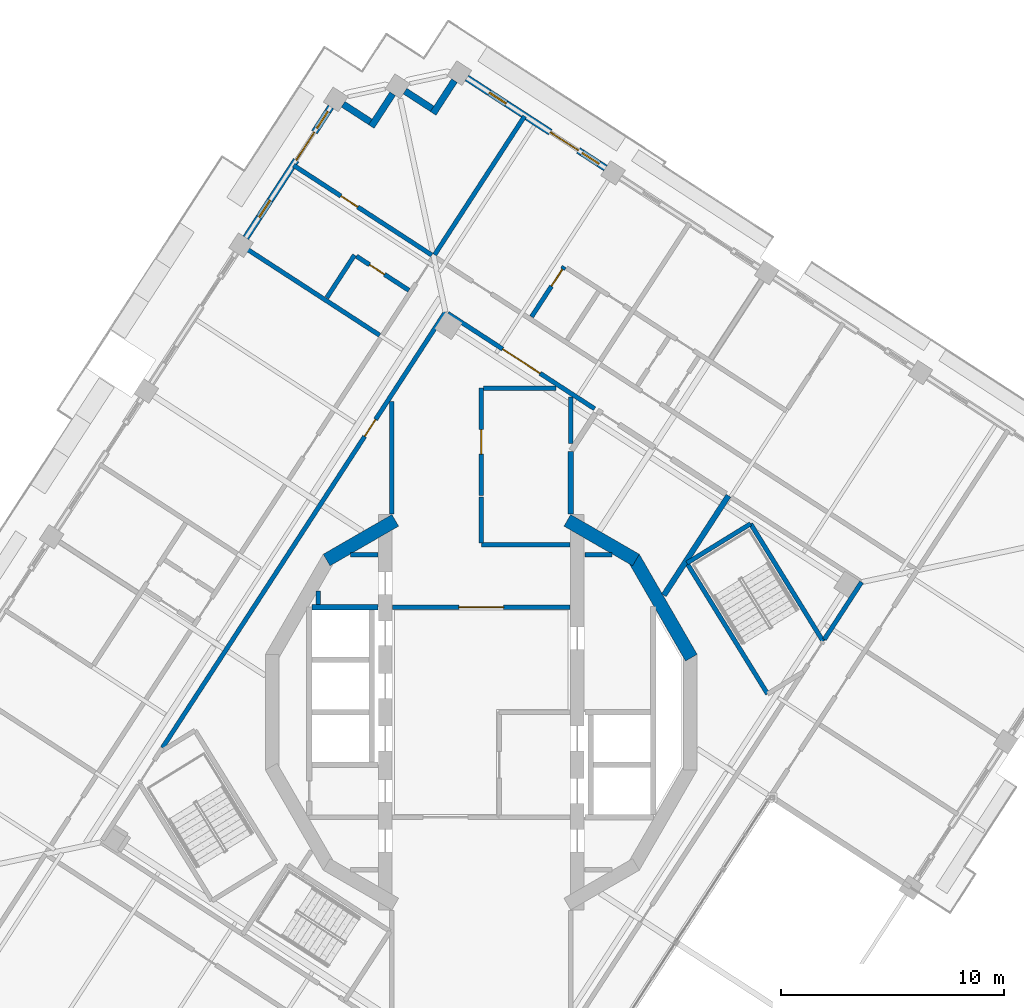
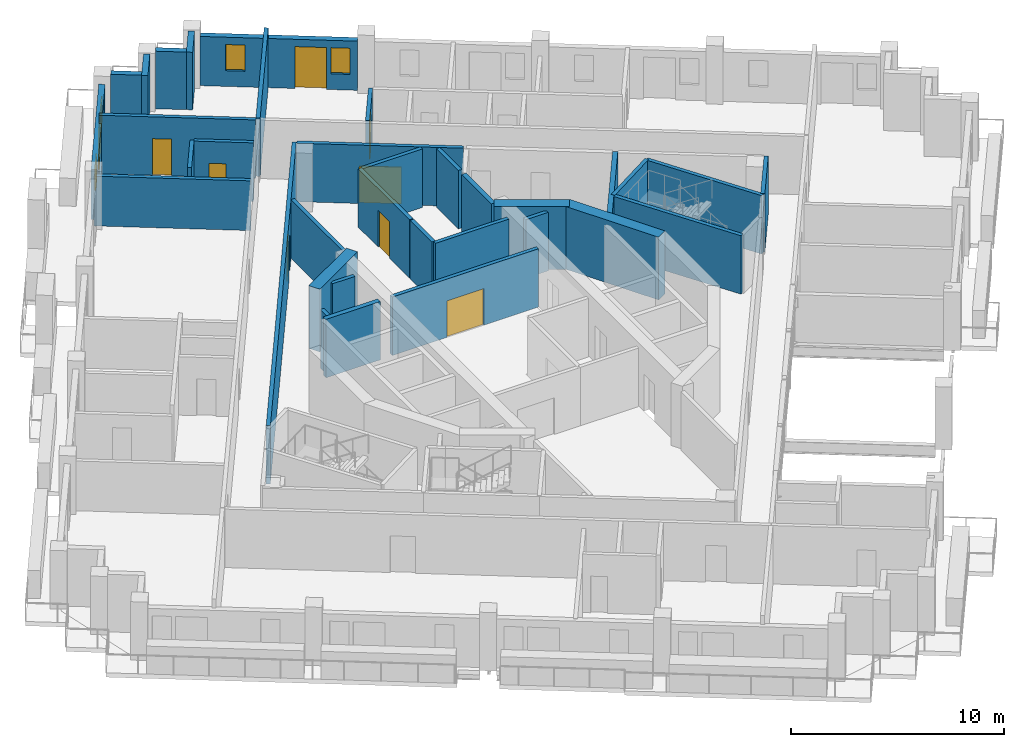
# One storey, part 9 of 17: 34 walls, 9 doors, 4 windows, 13 openings.
"""IFC4 building model written with IfcOpenShell, lengths in metres."""

import ifcopenshell
import ifcopenshell.guid

model = None  # the IFC model being written
_history = None  # IfcOwnerHistory: only IFC2X3 demands one
_inside = {}  # id of a spatial element -> (the spatial element, [elements in it])
_under = {}  # id of a project, library or spatial element -> (it, [spatial elements below it])
_declared = {}  # id of a project -> (the project, [libraries it declares])
_typed = {}  # id of a type object -> (the type object, [elements of that type])
_made_of = {}  # id of a material, layer set ... -> (it, [elements and type objects made of it])


def new_model(schema):
    """Start an empty IFC model of exactly this schema.

    Asked for "IFC4X3", IfcOpenShell would pick the latest addendum, in which some entities
    have other attributes; the version numbers below select the first issue.
    IFC2X3 requires an IfcOwnerHistory on every rooted entity: one is made here for all.
    """
    global model, _history
    if schema == "IFC4X3":
        model = ifcopenshell.file(schema_version=(4, 3, 0, 0))
    else:
        model = ifcopenshell.file(schema=schema)
    _inside.clear()
    _under.clear()
    _declared.clear()
    _typed.clear()
    _made_of.clear()
    _history = None
    if model.schema == "IFC2X3":
        org = make("IfcOrganization", Name="unknown")
        user = make(
            "IfcPersonAndOrganization",
            ThePerson=make("IfcPerson", FamilyName="unknown"),
            TheOrganization=org,
        )
        app = make(
            "IfcApplication",
            ApplicationDeveloper=org,
            Version="unknown",
            ApplicationFullName="unknown",
            ApplicationIdentifier="unknown",
        )
        _history = make(
            "IfcOwnerHistory",
            OwningUser=user,
            OwningApplication=app,
            ChangeAction="ADDED",
            CreationDate=0,
        )
    return model


def make(cls, **values):
    """One entity of the class cls with the attributes given. An attribute that is None is left unset."""
    return model.create_entity(
        cls, **{name: value for name, value in values.items() if value is not None}
    )


def rooted(cls, **values):
    """An entity with a GlobalId (a new one), such as an element, a storey or a relation."""
    return make(cls, GlobalId=ifcopenshell.guid.new(), OwnerHistory=_history, **values)


def si_unit(unit_type, name, prefix=None):
    """IfcSIUnit, for example si_unit("LENGTHUNIT", "METRE", prefix="MILLI")."""
    return make("IfcSIUnit", UnitType=unit_type, Prefix=prefix, Name=name)


def assignment(units):
    """IfcUnitAssignment: the units of a project."""
    return None if units is None else make("IfcUnitAssignment", Units=units)


def point(xyz):
    """IfcCartesianPoint."""
    return None if xyz is None else make("IfcCartesianPoint", Coordinates=xyz)


def direction(xyz):
    """IfcDirection."""
    return None if xyz is None else make("IfcDirection", DirectionRatios=xyz)


def frame(location, z_axis=None, x_axis=None):
    """IfcAxis2Placement3D, a coordinate frame: its origin and axes. An axis left out is left unset."""
    return make(
        "IfcAxis2Placement3D",
        Location=point(location),
        Axis=direction(z_axis),
        RefDirection=direction(x_axis),
    )


def frame_2d(location, x_axis=None):
    """IfcAxis2Placement2D, a coordinate frame in the plane: its origin and x axis."""
    return make(
        "IfcAxis2Placement2D", Location=point(location), RefDirection=direction(x_axis)
    )


def origin():
    """The frame at (0, 0, 0) with its axes left unset."""
    return frame((0.0, 0.0, 0.0))


def place(relative_to, where):
    """IfcLocalPlacement: puts the frame where relative to a parent placement (None: the world)."""
    return make(
        "IfcLocalPlacement", PlacementRelTo=relative_to, RelativePlacement=where
    )


def context(
    kind, dimensions, precision=None, world=None, true_north=None, identifier=None
):
    """IfcGeometricRepresentationContext, for example the 3D "Model" context."""
    return make(
        "IfcGeometricRepresentationContext",
        ContextIdentifier=identifier,
        ContextType=kind,
        CoordinateSpaceDimension=dimensions,
        Precision=precision,
        WorldCoordinateSystem=world,
        TrueNorth=true_north,
    )


def subcontext(parent, identifier, kind, view, scale=None):
    """IfcGeometricRepresentationSubContext, for example "Body" below "Model"."""
    return make(
        "IfcGeometricRepresentationSubContext",
        ContextIdentifier=identifier,
        ContextType=kind,
        ParentContext=parent,
        TargetScale=scale,
        TargetView=view,
    )


def project(units=None, contexts=None):
    """IfcProject with its units and contexts."""
    return rooted(
        "IfcProject",
        Name="project",
        RepresentationContexts=contexts,
        UnitsInContext=assignment(units),
    )


def spatial(cls, under=None, at=None, **own):
    """A site, building, storey or space (cls), placed at a placement, below another one or the project."""
    s = rooted(cls, ObjectPlacement=at, **own)
    if under is not None:
        _under.setdefault(under.id(), (under, []))[1].append(s)
    return s


def profile(cls, at=None, kind="AREA", **sizes):
    """A parametric profile (cls). Its sizes go by their IFC names, for example OverallWidth=200.0."""
    return make(cls, ProfileType=kind, Position=at, **sizes)


def rectangle(**sizes):
    """IfcRectangleProfileDef."""
    return profile("IfcRectangleProfileDef", **sizes)


def extrude(swept, where, along, depth):
    """IfcExtrudedAreaSolid: the profile swept, set in the frame where, extruded along a direction by depth."""
    return make(
        "IfcExtrudedAreaSolid",
        SweptArea=swept,
        Position=where,
        ExtrudedDirection=direction(along),
        Depth=depth,
    )


def shape(context_of_items, identifier, shape_type, items):
    """IfcShapeRepresentation: the items that make up one representation, for example the "Body"."""
    return make(
        "IfcShapeRepresentation",
        ContextOfItems=context_of_items,
        RepresentationIdentifier=identifier,
        RepresentationType=shape_type,
        Items=items,
    )


def material(Name=None, Category=None):
    """IfcMaterial."""
    return make("IfcMaterial", Name=Name, Category=Category)


def layer(
    of_material, thickness, ventilated=None, Name=None, Category=None, Priority=None
):
    """IfcMaterialLayer: one layer of a wall or slab, of a material (None: an air gap)."""
    return make(
        "IfcMaterialLayer",
        Material=of_material,
        LayerThickness=thickness,
        IsVentilated=ventilated,
        Name=Name,
        Category=Category,
        Priority=Priority,
    )


def layer_set(layers, Name=None):
    """IfcMaterialLayerSet."""
    return make("IfcMaterialLayerSet", MaterialLayers=layers, LayerSetName=Name)


def made_of(thing, what):
    """Note that an element or type object is made of a material, layer set ...; save() writes the relation."""
    if what is not None:
        _made_of.setdefault(what.id(), (what, []))[1].append(thing)
    return thing


def type_object(cls, material=None, **own):
    """A type object (cls), such as IfcWallType, which elements share."""
    return made_of(rooted(cls, **own), material)


def element(
    cls,
    number,
    at=None,
    inside=None,
    cuts=None,
    type_object=None,
    material=None,
    context=None,
    identifier="Body",
    shape_type=None,
    held_by="IfcProductDefinitionShape",
    body=None,
    shapes=None,
    **own,
):
    """One element of the class cls, such as IfcWall. Its Tag is "e" and its number.

    at: its placement. inside: the storey or other place that contains it. cuts: it is an
    opening in that element (IfcRelVoidsElement). A single representation is given by context,
    identifier, shape_type and body (its items); several are given by shapes. held_by: the class
    of the entity that holds the representations. save() writes the other relations.
    """
    e = rooted(cls, Tag="e%d" % number, ObjectPlacement=at, **own)
    if body is not None:
        shapes = [shape(context, identifier, shape_type, body)]
    if shapes is not None:
        e.Representation = make(held_by, Representations=shapes)
    if inside is not None:
        _inside.setdefault(inside.id(), (inside, []))[1].append(e)
    if cuts is not None:
        rooted(
            "IfcRelVoidsElement", RelatingBuildingElement=cuts, RelatedOpeningElement=e
        )
    if type_object is not None:
        _typed.setdefault(type_object.id(), (type_object, []))[1].append(e)
    return made_of(e, material)


def fill(opening, filler):
    """IfcRelFillsElement: the door or window that sits in an opening."""
    return rooted(
        "IfcRelFillsElement",
        RelatingOpeningElement=opening,
        RelatedBuildingElement=filler,
    )


def aggregate(whole, parts):
    """IfcRelAggregates: a whole, such as a stair, and the parts it consists of."""
    return rooted("IfcRelAggregates", RelatingObject=whole, RelatedObjects=parts)


def save(model, path):
    """Write the relations noted so far, then the file.

    IfcRelAggregates (storeys below a building ...), IfcRelContainedInSpatialStructure (elements
    in a storey), IfcRelDefinesByType, IfcRelAssociatesMaterial and IfcRelDeclares: one each for
    every whole, place, type object, material and project.
    """
    for whole, parts in _under.values():
        aggregate(whole, parts)
    for where, things in _inside.values():
        rooted(
            "IfcRelContainedInSpatialStructure",
            RelatedElements=things,
            RelatingStructure=where,
        )
    for kind, things in _typed.values():
        rooted("IfcRelDefinesByType", RelatedObjects=things, RelatingType=kind)
    for what, things in _made_of.values():
        rooted("IfcRelAssociatesMaterial", RelatedObjects=things, RelatingMaterial=what)
    for by, libraries in _declared.values():
        rooted("IfcRelDeclares", RelatingContext=by, RelatedDefinitions=libraries)
    model.write(path)


model = new_model("IFC4")

# Units and contexts
model_context = context("Model", 3, precision=1e-05, world=origin(), true_north=direction((0.0, 1.0)))
body_context = subcontext(model_context, "Body", "Model", "MODEL_VIEW")
ifc_project = project(units=[si_unit("LENGTHUNIT", "METRE"), si_unit("AREAUNIT", "SQUARE_METRE"), si_unit("VOLUMEUNIT", "CUBIC_METRE"), si_unit("PLANEANGLEUNIT", "RADIAN"), si_unit("MASSUNIT", "GRAM", prefix="KILO")], contexts=[model_context])

# Site, building, storey
site_placement = place(None, origin())
site = spatial("IfcSite", under=ifc_project, at=site_placement, CompositionType="ELEMENT")
building_placement = place(site_placement, origin())
building = spatial("IfcBuilding", under=site, at=building_placement, Name="Cantera Rosa Tower", CompositionType="ELEMENT")
storey_placement = place(building_placement, frame((0.0, 0.0, 257.699951171875)))
storey = spatial("IfcBuildingStorey", under=building, at=storey_placement, Name="L57", CompositionType="ELEMENT", Elevation=257.699951171875)

# Wall
ifc_material_1 = material(Name="Gypsum board partition")
ifc_layer_1 = layer(ifc_material_1, 0.199951171875)
ifc_layer_set_1 = layer_set([ifc_layer_1], Name="CORRIDOR WALL 200 H3350")
wall_type_1 = type_object("IfcWallType", Name="CORRIDOR WALL 200 H3350", PredefinedType="PARTITIONING", material=ifc_layer_set_1)
wall_1_placement = place(storey_placement, frame((-4.0, 13.90087890625, 0.0), z_axis=(0.0, 0.0, 1.0), x_axis=(0.0, -1.0, 0.0)))
element("IfcWall", 1, at=wall_1_placement, inside=storey, type_object=wall_type_1, Name="CORRIDOR WALL L57-041", PredefinedType="PARTITIONING", context=body_context, shape_type="SweptSolid", body=[
    extrude(rectangle(XDim=5.02197265625, YDim=0.199951171875, at=frame_2d((2.510986328125, 0.0))), origin(), (0.0, 0.0, 1.0), 3.35009765625),
])

# Wall, opening, door
wall_2_placement = place(storey_placement, frame((-3.969970703125, 4.699951171875, 0.0), z_axis=(0.0, 0.0, 1.0), x_axis=(1.0, 0.0, 0.0)))
wall_2 = element("IfcWall", 2, at=wall_2_placement, inside=storey, type_object=wall_type_1, Name="CORRIDOR WALL L57-042", PredefinedType="PARTITIONING", context=body_context, shape_type="SweptSolid", body=[
    extrude(rectangle(XDim=7.93994140625, YDim=0.199951171875, at=frame_2d((3.969970703125, 0.0))), origin(), (0.0, 0.0, 1.0), 3.35009765625),
])
opening_1_placement = place(wall_2_placement, frame((2.969970703125, 0.0, 0.0)))
opening_1 = element("IfcOpeningElement", 3, at=opening_1_placement, cuts=wall_2, Name="Opening L57-009", PredefinedType="OPENING", context=body_context, shape_type="SweptSolid", body=[
    extrude(rectangle(XDim=2.0, YDim=2.10009765625, at=frame_2d((1.0, 1.050048828125))), frame((0.0, 0.10986328125, 0.0), z_axis=(0.0, -1.0, 0.0), x_axis=(1.0, 0.0, 0.0)), (0.0, 0.0, 1.0), 0.219970703125),
])
ifc_material_2 = material(Name="Steel S355J2 (EN 10025-2)", Category="steel")
door_type_1 = type_object("IfcDoorType", Name="LOBBY SCREEN DOOR 2000x2100", OperationType="NOTDEFINED", PredefinedType="DOOR", material=ifc_material_2)
door_1_placement = place(opening_1_placement, origin())
door_1 = element("IfcDoor", 4, at=door_1_placement, inside=storey, type_object=door_type_1, Name="DOOR L57-009", OperationType="NOTDEFINED", OverallHeight=2.10009765625, OverallWidth=2.0, PredefinedType="DOOR", context=body_context, shape_type="SweptSolid", body=[
    extrude(rectangle(XDim=2.0, YDim=2.10009765625, at=frame_2d((1.0, 1.050048828125))), frame((0.0, 0.02490234375, 0.0), z_axis=(0.0, -1.0, 0.0), x_axis=(1.0, 0.0, 0.0)), (0.0, 0.0, 1.0), 0.050048828125),
])
fill(opening_1, door_1)

wall_3_placement = place(storey_placement, frame((-1.6025390625, 17.91259765625, 0.0), z_axis=(0.0, 0.0, 1.0), x_axis=(-0.544642173362, -0.838668529871, 0.0)))
wall_3 = element("IfcWall", 5, at=wall_3_placement, inside=storey, type_object=wall_type_1, Name="CORRIDOR WALL L57-050", PredefinedType="PARTITIONING", context=body_context, shape_type="SweptSolid", body=[
    extrude(rectangle(XDim=23.255126953125, YDim=0.199951171875, at=frame_2d((11.62744140625, 0.0))), origin(), (0.0, 0.0, 1.0), 3.35009765625),
])
opening_2_placement = place(wall_3_placement, frame((5.744140625, 0.0, 0.0)))
opening_2 = element("IfcOpeningElement", 6, at=opening_2_placement, cuts=wall_3, Name="Opening L57-004", PredefinedType="OPENING", context=body_context, shape_type="SweptSolid", body=[
    extrude(rectangle(XDim=0.89990234375, YDim=2.10009765625, at=frame_2d((0.449951171875, 1.050048828125))), frame((0.0, 0.10986328125, 0.0), z_axis=(0.0, -1.0, 0.0), x_axis=(1.0, 0.0, 0.0)), (0.0, 0.0, 1.0), 0.219970703125),
])
ifc_material_3 = material(Name="Timber door leaf", Category="wood")
door_type_2 = type_object("IfcDoorType", Name="SERVICE DOOR 900x2100", OperationType="NOTDEFINED", PredefinedType="DOOR", material=ifc_material_3)
door_2_placement = place(opening_2_placement, origin())
door_2 = element("IfcDoor", 7, at=door_2_placement, inside=storey, type_object=door_type_2, Name="DOOR L57-004", OperationType="NOTDEFINED", OverallHeight=2.10009765625, OverallWidth=0.89990234375, PredefinedType="DOOR", context=body_context, shape_type="SweptSolid", body=[
    extrude(rectangle(XDim=0.89990234375, YDim=2.10009765625, at=frame_2d((0.449951171875, 1.050048828125))), frame((0.0, 0.02490234375, 0.0), z_axis=(0.0, -1.0, 0.0), x_axis=(1.0, 0.0, 0.0)), (0.0, 0.0, 1.0), 0.050048828125),
])
fill(opening_2, door_2)

# Walls
wall_4_placement = place(storey_placement, frame((0.0, 7.5, 0.0), z_axis=(0.0, 0.0, 1.0), x_axis=(1.0, 0.0, 0.0)))
element("IfcWall", 8, at=wall_4_placement, inside=storey, type_object=wall_type_1, Name="CORRIDOR WALL L57-051", PredefinedType="PARTITIONING", context=body_context, shape_type="SweptSolid", body=[
    extrude(rectangle(XDim=3.969970703125, YDim=0.199951171875, at=frame_2d((1.98486328125, 0.0))), origin(), (0.0, 0.0, 1.0), 3.35009765625),
])
wall_5_placement = place(storey_placement, frame((0.0, 9.62939453125, 0.0), z_axis=(0.0, 0.0, 1.0), x_axis=(0.0, -1.0, 0.0)))
element("IfcWall", 9, at=wall_5_placement, inside=storey, type_object=wall_type_1, Name="CORRIDOR WALL L57-052", PredefinedType="PARTITIONING", context=body_context, shape_type="SweptSolid", body=[
    extrude(rectangle(XDim=2.04931640625, YDim=0.199951171875, at=frame_2d((1.024658203125, 0.0))), origin(), (0.0, 0.0, 1.0), 3.35009765625),
])

# Wall, opening, door
wall_6_placement = place(storey_placement, frame((0.0, 14.5, 0.0), z_axis=(0.0, 0.0, 1.0), x_axis=(0.0, -1.0, 0.0)))
wall_6 = element("IfcWall", 10, at=wall_6_placement, inside=storey, type_object=wall_type_1, Name="CORRIDOR WALL L57-053", PredefinedType="PARTITIONING", context=body_context, shape_type="SweptSolid", body=[
    extrude(rectangle(XDim=4.810791015625, YDim=0.199951171875, at=frame_2d((2.4052734375, 0.0))), origin(), (0.0, 0.0, 1.0), 3.35009765625),
])
opening_3_placement = place(wall_6_placement, frame((1.85546875, 0.0, 0.0)))
opening_3 = element("IfcOpeningElement", 11, at=opening_3_placement, cuts=wall_6, Name="Opening L57-013", PredefinedType="OPENING", context=body_context, shape_type="SweptSolid", body=[
    extrude(rectangle(XDim=1.10009765625, YDim=2.10009765625, at=frame_2d((0.550048828125, 1.050048828125))), frame((0.0, 0.10986328125, 0.0), z_axis=(0.0, -1.0, 0.0), x_axis=(1.0, 0.0, 0.0)), (0.0, 0.0, 1.0), 0.219970703125),
])
ifc_material_4 = material(Name="Timber door leaf", Category="wood")
door_type_3 = type_object("IfcDoorType", Name="ROOM DOOR 1100x2100", OperationType="NOTDEFINED", PredefinedType="DOOR", material=ifc_material_4)
door_3_placement = place(opening_3_placement, origin())
door_3 = element("IfcDoor", 12, at=door_3_placement, inside=storey, type_object=door_type_3, Name="DOOR L57-013", OperationType="NOTDEFINED", OverallHeight=2.10009765625, OverallWidth=1.10009765625, PredefinedType="DOOR", context=body_context, shape_type="SweptSolid", body=[
    extrude(rectangle(XDim=1.10009765625, YDim=2.10009765625, at=frame_2d((0.550048828125, 1.050048828125))), frame((0.0, 0.02490234375, 0.0), z_axis=(0.0, -1.0, 0.0), x_axis=(1.0, 0.0, 0.0)), (0.0, 0.0, 1.0), 0.050048828125),
])
fill(opening_3, door_3)

# Wall
wall_7_placement = place(storey_placement, frame((3.33251953125, 14.5, 0.0), z_axis=(0.0, 0.0, 1.0), x_axis=(-1.0, 0.0, 0.0)))
element("IfcWall", 13, at=wall_7_placement, inside=storey, type_object=wall_type_1, Name="CORRIDOR WALL L57-065", PredefinedType="PARTITIONING", context=body_context, shape_type="SweptSolid", body=[
    extrude(rectangle(XDim=3.232421875, YDim=0.199951171875, at=frame_2d((1.6162109375, 0.0))), origin(), (0.0, 0.0, 1.0), 3.35009765625),
])

# Wall, opening, door
wall_8_placement = place(storey_placement, frame((5.0732421875, 13.577392578125, 0.0), z_axis=(0.0, 0.0, 1.0), x_axis=(-0.838668367485, 0.544642423411, 0.0)))
wall_8 = element("IfcWall", 14, at=wall_8_placement, inside=storey, type_object=wall_type_1, Name="CORRIDOR WALL L57-077", PredefinedType="PARTITIONING", context=body_context, shape_type="SweptSolid", body=[
    extrude(rectangle(XDim=7.840087890625, YDim=0.199951171875, at=frame_2d((3.919921875, 0.0))), origin(), (0.0, 0.0, 1.0), 3.35009765625),
])
opening_4_placement = place(wall_8_placement, frame((2.909912109375, 0.0, 0.0)))
opening_4 = element("IfcOpeningElement", 15, at=opening_4_placement, cuts=wall_8, Name="Opening L57-008", PredefinedType="OPENING", context=body_context, shape_type="SweptSolid", body=[
    extrude(rectangle(XDim=2.0, YDim=2.10009765625, at=frame_2d((1.0, 1.050048828125))), frame((0.0, 0.10986328125, 0.0), z_axis=(0.0, -1.0, 0.0), x_axis=(1.0, 0.0, 0.0)), (0.0, 0.0, 1.0), 0.219970703125),
])
door_4_placement = place(opening_4_placement, origin())
door_4 = element("IfcDoor", 16, at=door_4_placement, inside=storey, type_object=door_type_1, Name="DOOR L57-008", OperationType="NOTDEFINED", OverallHeight=2.10009765625, OverallWidth=2.0, PredefinedType="DOOR", context=body_context, shape_type="SweptSolid", body=[
    extrude(rectangle(XDim=2.0, YDim=2.10009765625, at=frame_2d((1.0, 1.050048828125))), frame((0.0, 0.02490234375, 0.0), z_axis=(0.0, -1.0, 0.0), x_axis=(1.0, 0.0, 0.0)), (0.0, 0.0, 1.0), 0.050048828125),
])
fill(opening_4, door_4)

# Walls
wall_9_placement = place(storey_placement, frame((15.349853515625, 3.256103515625, 0.0), z_axis=(0.0, 0.0, 1.0), x_axis=(0.544603984755, 0.838693328809, 0.0)))
element("IfcWall", 17, at=wall_9_placement, inside=storey, type_object=wall_type_1, Name="CORRIDOR WALL L57-096", PredefinedType="PARTITIONING", context=body_context, shape_type="SweptSolid", body=[
    extrude(rectangle(XDim=3.05908203125, YDim=0.199951171875, at=frame_2d((1.529541015625, 0.0))), origin(), (0.0, 0.0, 1.0), 3.35009765625),
])
ifc_material_5 = material(Name="Hollow clay masonry with cantera stone cladding", Category="masonry")
ifc_layer_2 = layer(ifc_material_5, 0.300048828125)
ifc_layer_set_2 = layer_set([ifc_layer_2], Name="EW-LOGGIA 300")
wall_type_2 = type_object("IfcWallType", Name="EW-LOGGIA 300", PredefinedType="SOLIDWALL", material=ifc_layer_set_2)
wall_10_placement = place(storey_placement, frame((-1.2001953125, 28.263427734375, 0.0), z_axis=(0.0, 0.0, 1.0), x_axis=(-0.54461563776, -0.838685761837, 0.0)))
element("IfcWall", 18, at=wall_10_placement, inside=storey, type_object=wall_type_2, Name="EN-L57-W05a", PredefinedType="SOLIDWALL", context=body_context, shape_type="SweptSolid", body=[
    extrude(rectangle(XDim=1.75, YDim=0.300048828125, at=frame_2d((0.875, 0.0))), origin(), (0.0, 0.0, 1.0), 3.300048828125),
])
wall_11_placement = place(storey_placement, frame((-2.197509765625, 27.003173828125, 0.0), z_axis=(0.0, 0.0, 1.0), x_axis=(-0.838647435384, 0.54467465438, 0.0)))
element("IfcWall", 19, at=wall_11_placement, inside=storey, type_object=wall_type_2, Name="EN-L57-W05b", PredefinedType="SOLIDWALL", context=body_context, shape_type="SweptSolid", body=[
    extrude(rectangle(XDim=1.449951171875, YDim=0.300048828125, at=frame_2d((0.72509765625, 0.0))), origin(), (0.0, 0.0, 1.0), 3.300048828125),
])
wall_12_placement = place(storey_placement, frame((-3.966796875, 27.67529296875, 0.0), z_axis=(0.0, 0.0, 1.0), x_axis=(-0.544679362749, -0.83864437743, 0.0)))
element("IfcWall", 20, at=wall_12_placement, inside=storey, type_object=wall_type_2, Name="EN-L57-W06a", PredefinedType="SOLIDWALL", context=body_context, shape_type="SweptSolid", body=[
    extrude(rectangle(XDim=1.75, YDim=0.300048828125, at=frame_2d((0.875, 0.0))), origin(), (0.0, 0.0, 1.0), 3.300048828125),
])
wall_13_placement = place(storey_placement, frame((-4.964111328125, 26.415283203125, 0.0), z_axis=(0.0, 0.0, 1.0), x_axis=(-0.838724343483, 0.544556218997, 0.0)))
element("IfcWall", 21, at=wall_13_placement, inside=storey, type_object=wall_type_2, Name="EN-L57-W06b", PredefinedType="SOLIDWALL", context=body_context, shape_type="SweptSolid", body=[
    extrude(rectangle(XDim=1.449951171875, YDim=0.300048828125, at=frame_2d((0.72509765625, 0.0))), origin(), (0.0, 0.0, 1.0), 3.300048828125),
])

# Wall, openings, windows, door
ifc_material_6 = material(Name="Hollow clay masonry with cantera stone cladding", Category="masonry")
ifc_layer_3 = layer(ifc_material_6, 0.300048828125)
ifc_layer_set_3 = layer_set([ifc_layer_3], Name="EW-LOGGIA 300 H2820")
wall_type_3 = type_object("IfcWallType", Name="EW-LOGGIA 300 H2820", PredefinedType="SOLIDWALL", material=ifc_layer_set_3)
wall_14_placement = place(storey_placement, frame((5.559326171875, 24.350830078125, 0.0), z_axis=(0.0, 0.0, 1.0), x_axis=(-0.838679465365, 0.544625333946, 0.0)))
wall_14 = element("IfcWall", 22, at=wall_14_placement, inside=storey, type_object=wall_type_3, Name="EN-L57-W04", PredefinedType="SOLIDWALL", context=body_context, shape_type="SweptSolid", body=[
    extrude(rectangle(XDim=7.400146484375, YDim=0.300048828125, at=frame_2d((3.7001953125, 0.0))), origin(), (0.0, 0.0, 1.0), 2.820068359375),
])
opening_5_placement = place(wall_14_placement, frame((0.35009765625, 0.0, 0.89990234375)))
opening_5 = element("IfcOpeningElement", 23, at=opening_5_placement, cuts=wall_14, Name="Opening L57-W10", PredefinedType="OPENING", context=body_context, shape_type="SweptSolid", body=[
    extrude(rectangle(XDim=0.89990234375, YDim=1.5, at=frame_2d((0.449951171875, 0.75))), frame((0.0, 0.159912109375, 0.0), z_axis=(0.0, -1.0, 0.0), x_axis=(1.0, 0.0, 0.0)), (0.0, 0.0, 1.0), 0.320068359375),
])
opening_6_placement = place(wall_14_placement, frame((1.449951171875, 0.0, 0.0)))
opening_6 = element("IfcOpeningElement", 24, at=opening_6_placement, cuts=wall_14, Name="Opening L57-TD11", PredefinedType="OPENING", context=body_context, shape_type="SweptSolid", body=[
    extrude(rectangle(XDim=1.5, YDim=2.39990234375, at=frame_2d((0.75, 1.199951171875))), frame((0.0, 0.159912109375, 0.0), z_axis=(0.0, -1.0, 0.0), x_axis=(1.0, 0.0, 0.0)), (0.0, 0.0, 1.0), 0.320068359375),
])
opening_7_placement = place(wall_14_placement, frame((5.300048828125, 0.0, 0.89990234375)))
opening_7 = element("IfcOpeningElement", 25, at=opening_7_placement, cuts=wall_14, Name="Opening L57-W12", PredefinedType="OPENING", context=body_context, shape_type="SweptSolid", body=[
    extrude(rectangle(XDim=0.89990234375, YDim=1.5, at=frame_2d((0.449951171875, 0.75))), frame((0.0, 0.159912109375, 0.0), z_axis=(0.0, -1.0, 0.0), x_axis=(1.0, 0.0, 0.0)), (0.0, 0.0, 1.0), 0.320068359375),
])
ifc_material_7 = material(Name="Aluminium frame with clear glass", Category="aluminium")
window_type = type_object("IfcWindowType", Name="Residential window 900x1500", PartitioningType="SINGLE_PANEL", PredefinedType="WINDOW", material=ifc_material_7)
window_1_placement = place(opening_5_placement, origin())
window_1 = element("IfcWindow", 26, at=window_1_placement, inside=storey, type_object=window_type, Name="WINDOW L57-W10", OverallHeight=1.5, OverallWidth=0.89990234375, PartitioningType="SINGLE_PANEL", PredefinedType="WINDOW", context=body_context, shape_type="SweptSolid", body=[
    extrude(rectangle(XDim=0.89990234375, YDim=1.5, at=frame_2d((0.449951171875, 0.75))), frame((0.0, 0.030029296875, 0.0), z_axis=(0.0, -1.0, 0.0), x_axis=(1.0, 0.0, 0.0)), (0.0, 0.0, 1.0), 0.06005859375),
])
fill(opening_5, window_1)
window_2_placement = place(opening_7_placement, origin())
window_2 = element("IfcWindow", 27, at=window_2_placement, inside=storey, type_object=window_type, Name="WINDOW L57-W12", OverallHeight=1.5, OverallWidth=0.89990234375, PartitioningType="SINGLE_PANEL", PredefinedType="WINDOW", context=body_context, shape_type="SweptSolid", body=[
    extrude(rectangle(XDim=0.89990234375, YDim=1.5, at=frame_2d((0.449951171875, 0.75))), frame((0.0, 0.030029296875, 0.0), z_axis=(0.0, -1.0, 0.0), x_axis=(1.0, 0.0, 0.0)), (0.0, 0.0, 1.0), 0.06005859375),
])
fill(opening_7, window_2)
ifc_material_8 = material(Name="Aluminium frame with clear glass", Category="aluminium")
door_type_4 = type_object("IfcDoorType", Name="TD-R 1500x2400", OperationType="NOTDEFINED", PredefinedType="DOOR", material=ifc_material_8)
door_5_placement = place(opening_6_placement, origin())
door_5 = element("IfcDoor", 28, at=door_5_placement, inside=storey, type_object=door_type_4, Name="LOGGIA DOOR L57-TD11", OperationType="SLIDING_TO_LEFT", OverallHeight=2.39990234375, OverallWidth=1.5, PredefinedType="DOOR", context=body_context, shape_type="SweptSolid", body=[
    extrude(rectangle(XDim=1.5, YDim=2.39990234375, at=frame_2d((0.75, 1.199951171875))), frame((0.0, 0.02490234375, 0.0), z_axis=(0.0, -1.0, 0.0), x_axis=(1.0, 0.0, 0.0)), (0.0, 0.0, 1.0), 0.050048828125),
])
fill(opening_6, door_5)

ifc_material_9 = material(Name="Hollow clay masonry with cantera stone cladding", Category="masonry")
ifc_layer_4 = layer(ifc_material_9, 0.300048828125)
ifc_layer_set_4 = layer_set([ifc_layer_4], Name="EW-LOGGIA 300 H2890")
wall_type_4 = type_object("IfcWallType", Name="EW-LOGGIA 300 H2890", PredefinedType="SOLIDWALL", material=ifc_layer_set_4)
wall_15_placement = place(storey_placement, frame((-6.7333984375, 27.08740234375, 0.0), z_axis=(0.0, 0.0, 1.0), x_axis=(-0.544651451949, -0.838662504164, 0.0)))
wall_15 = element("IfcWall", 29, at=wall_15_placement, inside=storey, type_object=wall_type_4, Name="EN-L57-W07", PredefinedType="SOLIDWALL", context=body_context, shape_type="SweptSolid", body=[
    extrude(rectangle(XDim=6.980224609375, YDim=0.300048828125, at=frame_2d((3.490234375, 0.0))), origin(), (0.0, 0.0, 1.0), 2.89013671875),
])
opening_8_placement = place(wall_15_placement, frame((0.2451171875, 0.0, 0.89990234375)))
opening_8 = element("IfcOpeningElement", 30, at=opening_8_placement, cuts=wall_15, Name="Opening L57-W13", PredefinedType="OPENING", context=body_context, shape_type="SweptSolid", body=[
    extrude(rectangle(XDim=0.89990234375, YDim=1.5, at=frame_2d((0.449951171875, 0.75))), frame((0.0, 0.159912109375, 0.0), z_axis=(0.0, -1.0, 0.0), x_axis=(1.0, 0.0, 0.0)), (0.0, 0.0, 1.0), 0.320068359375),
])
opening_9_placement = place(wall_15_placement, frame((1.344970703125, 0.0, 0.0)))
opening_9 = element("IfcOpeningElement", 31, at=opening_9_placement, cuts=wall_15, Name="Opening L57-TD14", PredefinedType="OPENING", context=body_context, shape_type="SweptSolid", body=[
    extrude(rectangle(XDim=1.5, YDim=2.39990234375, at=frame_2d((0.75, 1.199951171875))), frame((0.0, 0.159912109375, 0.0), z_axis=(0.0, -1.0, 0.0), x_axis=(1.0, 0.0, 0.0)), (0.0, 0.0, 1.0), 0.320068359375),
])
opening_10_placement = place(wall_15_placement, frame((4.985107421875, 0.0, 0.89990234375)))
opening_10 = element("IfcOpeningElement", 32, at=opening_10_placement, cuts=wall_15, Name="Opening L57-W15", PredefinedType="OPENING", context=body_context, shape_type="SweptSolid", body=[
    extrude(rectangle(XDim=0.89990234375, YDim=1.5, at=frame_2d((0.449951171875, 0.75))), frame((0.0, 0.159912109375, 0.0), z_axis=(0.0, -1.0, 0.0), x_axis=(1.0, 0.0, 0.0)), (0.0, 0.0, 1.0), 0.320068359375),
])
window_3_placement = place(opening_8_placement, origin())
window_3 = element("IfcWindow", 33, at=window_3_placement, inside=storey, type_object=window_type, Name="WINDOW L57-W13", OverallHeight=1.5, OverallWidth=0.89990234375, PartitioningType="SINGLE_PANEL", PredefinedType="WINDOW", context=body_context, shape_type="SweptSolid", body=[
    extrude(rectangle(XDim=0.89990234375, YDim=1.5, at=frame_2d((0.449951171875, 0.75))), frame((0.0, 0.030029296875, 0.0), z_axis=(0.0, -1.0, 0.0), x_axis=(1.0, 0.0, 0.0)), (0.0, 0.0, 1.0), 0.06005859375),
])
fill(opening_8, window_3)
window_4_placement = place(opening_10_placement, origin())
window_4 = element("IfcWindow", 34, at=window_4_placement, inside=storey, type_object=window_type, Name="WINDOW L57-W15", OverallHeight=1.5, OverallWidth=0.89990234375, PartitioningType="SINGLE_PANEL", PredefinedType="WINDOW", context=body_context, shape_type="SweptSolid", body=[
    extrude(rectangle(XDim=0.89990234375, YDim=1.5, at=frame_2d((0.449951171875, 0.75))), frame((0.0, 0.030029296875, 0.0), z_axis=(0.0, -1.0, 0.0), x_axis=(1.0, 0.0, 0.0)), (0.0, 0.0, 1.0), 0.06005859375),
])
fill(opening_10, window_4)
door_6_placement = place(opening_9_placement, origin())
door_6 = element("IfcDoor", 35, at=door_6_placement, inside=storey, type_object=door_type_4, Name="LOGGIA DOOR L57-TD14", OperationType="SLIDING_TO_LEFT", OverallHeight=2.39990234375, OverallWidth=1.5, PredefinedType="DOOR", context=body_context, shape_type="SweptSolid", body=[
    extrude(rectangle(XDim=1.5, YDim=2.39990234375, at=frame_2d((0.75, 1.199951171875))), frame((0.0, 0.02490234375, 0.0), z_axis=(0.0, -1.0, 0.0), x_axis=(1.0, 0.0, 0.0)), (0.0, 0.0, 1.0), 0.050048828125),
])
fill(opening_9, door_6)

# Walls
ifc_material_10 = material(Name="Gypsum board partition")
ifc_layer_5 = layer(ifc_material_10, 0.199951171875)
ifc_layer_set_5 = layer_set([ifc_layer_5], Name="PARTITION 200 H3350")
wall_type_5 = type_object("IfcWallType", Name="PARTITION 200 H3350", PredefinedType="PARTITIONING", material=ifc_layer_set_5)
wall_16_placement = place(storey_placement, frame((-7.300048828125, 4.824951171875, 0.0), z_axis=(0.0, 0.0, 1.0), x_axis=(0.0, 1.0, 0.0)))
element("IfcWall", 36, at=wall_16_placement, inside=storey, type_object=wall_type_5, Name="PARTITION L57-028", PredefinedType="PARTITIONING", context=body_context, shape_type="SweptSolid", body=[
    extrude(rectangle(XDim=0.589599609375, YDim=0.199951171875, at=frame_2d((0.294921875, 0.0))), origin(), (0.0, 0.0, 1.0), 3.35009765625),
])
wall_17_placement = place(storey_placement, frame((-6.91357421875, 18.547607421875, 0.0), z_axis=(0.0, 0.0, 1.0), x_axis=(0.544578054805, 0.838710165805, 0.0)))
element("IfcWall", 37, at=wall_17_placement, inside=storey, type_object=wall_type_5, Name="PARTITION L57-029", PredefinedType="PARTITIONING", context=body_context, shape_type="SweptSolid", body=[
    extrude(rectangle(XDim=2.280029296875, YDim=0.199951171875, at=frame_2d((1.14013671875, 0.0))), origin(), (0.0, 0.0, 1.0), 3.35009765625),
])
wall_18_placement = place(storey_placement, frame((-5.84765625, 7.050048828125, 0.0), z_axis=(0.0, 0.0, 1.0), x_axis=(1.0, 0.0, 0.0)))
element("IfcWall", 38, at=wall_18_placement, inside=storey, type_object=wall_type_5, Name="PARTITION L57-032", PredefinedType="PARTITIONING", context=body_context, shape_type="SweptSolid", body=[
    extrude(rectangle(XDim=1.2177734375, YDim=0.199951171875, at=frame_2d((0.60888671875, 0.0))), origin(), (0.0, 0.0, 1.0), 3.35009765625),
])

# Wall, opening, door
wall_19_placement = place(storey_placement, frame((-5.587890625, 20.405517578125, 0.0), z_axis=(0.0, 0.0, 1.0), x_axis=(0.838656694237, -0.544660398056, 0.0)))
wall_19 = element("IfcWall", 39, at=wall_19_placement, inside=storey, type_object=wall_type_5, Name="PARTITION L57-033", PredefinedType="PARTITIONING", context=body_context, shape_type="SweptSolid", body=[
    extrude(rectangle(XDim=2.80029296875, YDim=0.199951171875, at=frame_2d((1.400146484375, 0.0))), origin(), (0.0, 0.0, 1.0), 3.35009765625),
])
opening_11_placement = place(wall_19_placement, frame((0.699951171875, 0.0, 0.0)))
opening_11 = element("IfcOpeningElement", 40, at=opening_11_placement, cuts=wall_19, Name="Opening L57-034", PredefinedType="OPENING", context=body_context, shape_type="SweptSolid", body=[
    extrude(rectangle(XDim=0.800048828125, YDim=2.10009765625, at=frame_2d((0.39990234375, 1.050048828125))), frame((0.0, 0.10986328125, 0.0), z_axis=(0.0, -1.0, 0.0), x_axis=(1.0, 0.0, 0.0)), (0.0, 0.0, 1.0), 0.219970703125),
])
ifc_material_11 = material(Name="Timber door leaf", Category="wood")
door_type_5 = type_object("IfcDoorType", Name="BATHROOM DOOR 800x2100", OperationType="NOTDEFINED", PredefinedType="DOOR", material=ifc_material_11)
door_7_placement = place(opening_11_placement, origin())
door_7 = element("IfcDoor", 41, at=door_7_placement, inside=storey, type_object=door_type_5, Name="DOOR L57-034", OperationType="NOTDEFINED", OverallHeight=2.10009765625, OverallWidth=0.800048828125, PredefinedType="DOOR", context=body_context, shape_type="SweptSolid", body=[
    extrude(rectangle(XDim=0.800048828125, YDim=2.10009765625, at=frame_2d((0.39990234375, 1.050048828125))), frame((0.0, 0.02490234375, 0.0), z_axis=(0.0, -1.0, 0.0), x_axis=(1.0, 0.0, 0.0)), (0.0, 0.0, 1.0), 0.050048828125),
])
fill(opening_11, door_7)

wall_20_placement = place(storey_placement, frame((-2.2158203125, 20.45703125, 0.0), z_axis=(0.0, 0.0, 1.0), x_axis=(-0.838656223885, 0.544661122294, 0.0)))
wall_20 = element("IfcWall", 42, at=wall_20_placement, inside=storey, type_object=wall_type_5, Name="PARTITION L57-047", PredefinedType="PARTITIONING", context=body_context, shape_type="SweptSolid", body=[
    extrude(rectangle(XDim=7.3701171875, YDim=0.199951171875, at=frame_2d((3.68505859375, 0.0))), origin(), (0.0, 0.0, 1.0), 3.35009765625),
])
opening_12_placement = place(wall_20_placement, frame((3.949951171875, 0.0, 0.0)))
opening_12 = element("IfcOpeningElement", 43, at=opening_12_placement, cuts=wall_20, Name="Opening L57-035", PredefinedType="OPENING", context=body_context, shape_type="SweptSolid", body=[
    extrude(rectangle(XDim=0.89990234375, YDim=2.10009765625, at=frame_2d((0.449951171875, 1.050048828125))), frame((0.0, 0.10986328125, 0.0), z_axis=(0.0, -1.0, 0.0), x_axis=(1.0, 0.0, 0.0)), (0.0, 0.0, 1.0), 0.219970703125),
])
ifc_material_12 = material(Name="Timber door leaf", Category="wood")
door_type_6 = type_object("IfcDoorType", Name="ROOM DOOR 900x2100", OperationType="NOTDEFINED", PredefinedType="DOOR", material=ifc_material_12)
door_8_placement = place(opening_12_placement, origin())
door_8 = element("IfcDoor", 44, at=door_8_placement, inside=storey, type_object=door_type_6, Name="DOOR L57-035", OperationType="NOTDEFINED", OverallHeight=2.10009765625, OverallWidth=0.89990234375, PredefinedType="DOOR", context=body_context, shape_type="SweptSolid", body=[
    extrude(rectangle(XDim=0.89990234375, YDim=2.10009765625, at=frame_2d((0.449951171875, 1.050048828125))), frame((0.0, 0.02490234375, 0.0), z_axis=(0.0, -1.0, 0.0), x_axis=(1.0, 0.0, 0.0)), (0.0, 0.0, 1.0), 0.050048828125),
])
fill(opening_12, door_8)

wall_21_placement = place(storey_placement, frame((2.252685546875, 17.698486328125, 0.0), z_axis=(0.0, 0.0, 1.0), x_axis=(0.544674512884, 0.838647527281, 0.0)))
wall_21 = element("IfcWall", 45, at=wall_21_placement, inside=storey, type_object=wall_type_5, Name="PARTITION L57-064", PredefinedType="PARTITIONING", context=body_context, shape_type="SweptSolid", body=[
    extrude(rectangle(XDim=2.679931640625, YDim=0.199951171875, at=frame_2d((1.33984375, 0.0))), origin(), (0.0, 0.0, 1.0), 3.35009765625),
])
opening_13_placement = place(wall_21_placement, frame((1.6298828125, 0.0, 0.0)))
opening_13 = element("IfcOpeningElement", 46, at=opening_13_placement, cuts=wall_21, Name="Opening L57-026", PredefinedType="OPENING", context=body_context, shape_type="SweptSolid", body=[
    extrude(rectangle(XDim=0.89990234375, YDim=2.10009765625, at=frame_2d((0.449951171875, 1.050048828125))), frame((0.0, 0.10986328125, 0.0), z_axis=(0.0, -1.0, 0.0), x_axis=(1.0, 0.0, 0.0)), (0.0, 0.0, 1.0), 0.219970703125),
])
door_9_placement = place(opening_13_placement, origin())
door_9 = element("IfcDoor", 47, at=door_9_placement, inside=storey, type_object=door_type_6, Name="DOOR L57-026", OperationType="NOTDEFINED", OverallHeight=2.10009765625, OverallWidth=0.89990234375, PredefinedType="DOOR", context=body_context, shape_type="SweptSolid", body=[
    extrude(rectangle(XDim=0.89990234375, YDim=2.10009765625, at=frame_2d((0.449951171875, 1.050048828125))), frame((0.0, 0.02490234375, 0.0), z_axis=(0.0, -1.0, 0.0), x_axis=(1.0, 0.0, 0.0)), (0.0, 0.0, 1.0), 0.050048828125),
])
fill(opening_13, door_9)

# Walls
wall_22_placement = place(storey_placement, frame((4.0, 14.09423828125, 0.0), z_axis=(0.0, 0.0, 1.0), x_axis=(0.0, -1.0, 0.0)))
element("IfcWall", 48, at=wall_22_placement, inside=storey, type_object=wall_type_5, Name="PARTITION L57-072", PredefinedType="PARTITIONING", context=body_context, shape_type="SweptSolid", body=[
    extrude(rectangle(XDim=2.066650390625, YDim=0.199951171875, at=frame_2d((1.033203125, 0.0))), origin(), (0.0, 0.0, 1.0), 3.35009765625),
])
wall_23_placement = place(storey_placement, frame((4.6298828125, 7.050048828125, 0.0), z_axis=(0.0, 0.0, 1.0), x_axis=(1.0, 0.0, 0.0)))
element("IfcWall", 49, at=wall_23_placement, inside=storey, type_object=wall_type_5, Name="PARTITION L57-075", PredefinedType="PARTITIONING", context=body_context, shape_type="SweptSolid", body=[
    extrude(rectangle(XDim=1.2177734375, YDim=0.199951171875, at=frame_2d((0.60888671875, 0.0))), origin(), (0.0, 0.0, 1.0), 3.35009765625),
])
ifc_material_13 = material(Name="Gypsum board partition")
ifc_layer_6 = layer(ifc_material_13, 0.199951171875)
ifc_layer_set_6 = layer_set([ifc_layer_6], Name="PARTY WALL 200 H2850")
wall_type_6 = type_object("IfcWallType", Name="PARTY WALL 200 H2850", PredefinedType="PARTITIONING", material=ifc_layer_set_6)
wall_24_placement = place(storey_placement, frame((-10.727783203125, 20.881591796875, 0.0), z_axis=(0.0, 0.0, 1.0), x_axis=(0.838671355338, -0.544637822535, 0.0)))
element("IfcWall", 50, at=wall_24_placement, inside=storey, type_object=wall_type_6, Name="PARTY WALL L57-018", PredefinedType="PARTITIONING", context=body_context, shape_type="SweptSolid", body=[
    extrude(rectangle(XDim=7.369873046875, YDim=0.199951171875, at=frame_2d((3.68505859375, 0.0))), origin(), (0.0, 0.0, 1.0), 2.85009765625),
])
ifc_material_14 = material(Name="Gypsum board partition")
ifc_layer_7 = layer(ifc_material_14, 0.199951171875)
ifc_layer_set_7 = layer_set([ifc_layer_7], Name="PARTY WALL 200 H3350")
wall_type_7 = type_object("IfcWallType", Name="PARTY WALL 200 H3350", PredefinedType="PARTITIONING", material=ifc_layer_set_7)
wall_25_placement = place(storey_placement, frame((-2.08837890625, 20.4697265625, 0.0), z_axis=(0.0, 0.0, 1.0), x_axis=(0.544642261206, 0.838668472824, 0.0)))
element("IfcWall", 51, at=wall_25_placement, inside=storey, type_object=wall_type_7, Name="PARTY WALL L57-048", PredefinedType="PARTITIONING", context=body_context, shape_type="SweptSolid", body=[
    extrude(rectangle(XDim=7.389892578125, YDim=0.199951171875, at=frame_2d((3.69482421875, 0.0))), origin(), (0.0, 0.0, 1.0), 3.35009765625),
])
ifc_material_15 = material(Name="Concrete C50/60", Category="concrete")
ifc_layer_8 = layer(ifc_material_15, 0.60009765625)
ifc_layer_set_8 = layer_set([ifc_layer_8], Name="RC CORE WALL 600 C50/60")
wall_type_8 = type_object("IfcWallType", Name="RC CORE WALL 600 C50/60", PredefinedType="SHEAR", material=ifc_layer_set_8)
for number, where, z_axis, x_axis, name in (
    (52, (-6.921142578125, 6.811279296875, 0.0), (0.0, 0.0, 1.0), (0.866039982607, 0.499974747889, 0.0), "CW-W5 L57"),
    (53, (3.85009765625, 8.584228515625, 0.0), (0.0, 0.0, 1.0), (0.866039982607, -0.499974747889, 0.0), "CW-E1 L57"),
):
    element("IfcWall", number, at=place(storey_placement, frame(where, z_axis=z_axis, x_axis=x_axis)), inside=storey, type_object=wall_type_8, Name=name, PredefinedType="SHEAR", context=body_context, shape_type="SweptSolid", body=[
        extrude(rectangle(XDim=3.546142578125, YDim=0.60009765625, at=frame_2d((1.77294921875, 0.0))), origin(), (0.0, 0.0, 1.0), 3.60009765625),
    ])
wall_26_placement = place(storey_placement, frame((6.811279296875, 6.921142578125, 0.0), z_axis=(0.0, 0.0, 1.0), x_axis=(0.499989188378, -0.866031645787, 0.0)))
element("IfcWall", 54, at=wall_26_placement, inside=storey, type_object=wall_type_8, Name="CW-E2 L57", PredefinedType="SHEAR", context=body_context, shape_type="SweptSolid", body=[
    extrude(rectangle(XDim=5.17626953125, YDim=0.60009765625, at=frame_2d((2.588134765625, 0.0))), origin(), (0.0, 0.0, 1.0), 3.60009765625),
])
ifc_material_16 = material(Name="Masonry blockwork", Category="masonry")
ifc_layer_9 = layer(ifc_material_16, 0.25)
ifc_layer_set_9 = layer_set([ifc_layer_9], Name="SHAFT WALL 250 H3350")
wall_type_9 = type_object("IfcWallType", Name="SHAFT WALL 250 H3350", PredefinedType="SOLIDWALL", material=ifc_layer_set_9)
wall_27_placement = place(storey_placement, frame((-7.580078125, 4.699951171875, 0.0), z_axis=(0.0, 0.0, 1.0), x_axis=(1.0, 0.0, 0.0)))
element("IfcWall", 55, at=wall_27_placement, inside=storey, type_object=wall_type_9, Name="SHAFT WALL L57-026", PredefinedType="SOLIDWALL", context=body_context, shape_type="SweptSolid", body=[
    extrude(rectangle(XDim=2.9501953125, YDim=0.25, at=frame_2d((1.47509765625, 0.0))), origin(), (0.0, 0.0, 1.0), 3.35009765625),
])
wall_28_placement = place(storey_placement, frame((4.0, 8.87890625, 0.0), z_axis=(0.0, 0.0, 1.0), x_axis=(0.0, 1.0, 0.0)))
element("IfcWall", 56, at=wall_28_placement, inside=storey, type_object=wall_type_9, Name="SHAFT WALL L57-070", PredefinedType="SOLIDWALL", context=body_context, shape_type="SweptSolid", body=[
    extrude(rectangle(XDim=2.788818359375, YDim=0.25, at=frame_2d((1.39453125, 0.0))), origin(), (0.0, 0.0, 1.0), 3.35009765625),
])
wall_29_placement = place(storey_placement, frame((8.167236328125, 5.232421875, 0.0), z_axis=(0.0, 0.0, 1.0), x_axis=(0.544650772674, 0.838662945303, 0.0)))
element("IfcWall", 57, at=wall_29_placement, inside=storey, type_object=wall_type_9, Name="SHAFT WALL L57-085", PredefinedType="SOLIDWALL", context=body_context, shape_type="SweptSolid", body=[
    extrude(rectangle(XDim=5.3134765625, YDim=0.25, at=frame_2d((2.65673828125, 0.0))), origin(), (0.0, 0.0, 1.0), 3.35009765625),
])
ifc_material_17 = material(Name="Concrete C50/60", Category="concrete")
ifc_layer_10 = layer(ifc_material_17, 0.199951171875)
ifc_layer_set_10 = layer_set([ifc_layer_10], Name="STAIR WALL 200 H3350")
wall_type_10 = type_object("IfcWallType", Name="STAIR WALL 200 H3350", PredefinedType="SOLIDWALL", material=ifc_layer_set_10)
wall_30_placement = place(storey_placement, frame((9.199462890625, 6.674072265625, 0.0), z_axis=(0.0, 0.0, 1.0), x_axis=(0.85113993661, 0.524938861495, 0.0)))
element("IfcWall", 58, at=wall_30_placement, inside=storey, type_object=wall_type_10, Name="STAIR WALL L57-087", PredefinedType="SOLIDWALL", context=body_context, shape_type="SweptSolid", body=[
    extrude(rectangle(XDim=3.35009765625, YDim=0.199951171875, at=frame_2d((1.675048828125, 0.0))), origin(), (0.0, 0.0, 1.0), 3.35009765625),
])
wall_31_placement = place(storey_placement, frame((9.199462890625, 6.674072265625, 0.0), z_axis=(0.0, 0.0, 1.0), x_axis=(0.524972254536, -0.851119340614, 0.0)))
element("IfcWall", 59, at=wall_31_placement, inside=storey, type_object=wall_type_10, Name="STAIR WALL L57-088", PredefinedType="SOLIDWALL", context=body_context, shape_type="SweptSolid", body=[
    extrude(rectangle(XDim=6.880126953125, YDim=0.199951171875, at=frame_2d((3.43994140625, 0.0))), origin(), (0.0, 0.0, 1.0), 3.35009765625),
])
wall_32_placement = place(storey_placement, frame((12.05078125, 8.4326171875, 0.0), z_axis=(0.0, 0.0, 1.0), x_axis=(0.524983142341, -0.851112624896, 0.0)))
element("IfcWall", 60, at=wall_32_placement, inside=storey, type_object=wall_type_10, Name="STAIR WALL L57-091", PredefinedType="SOLIDWALL", context=body_context, shape_type="SweptSolid", body=[
    extrude(rectangle(XDim=6.180419921875, YDim=0.199951171875, at=frame_2d((3.09033203125, 0.0))), origin(), (0.0, 0.0, 1.0), 3.35009765625),
])

save(model, "model.ifc")
